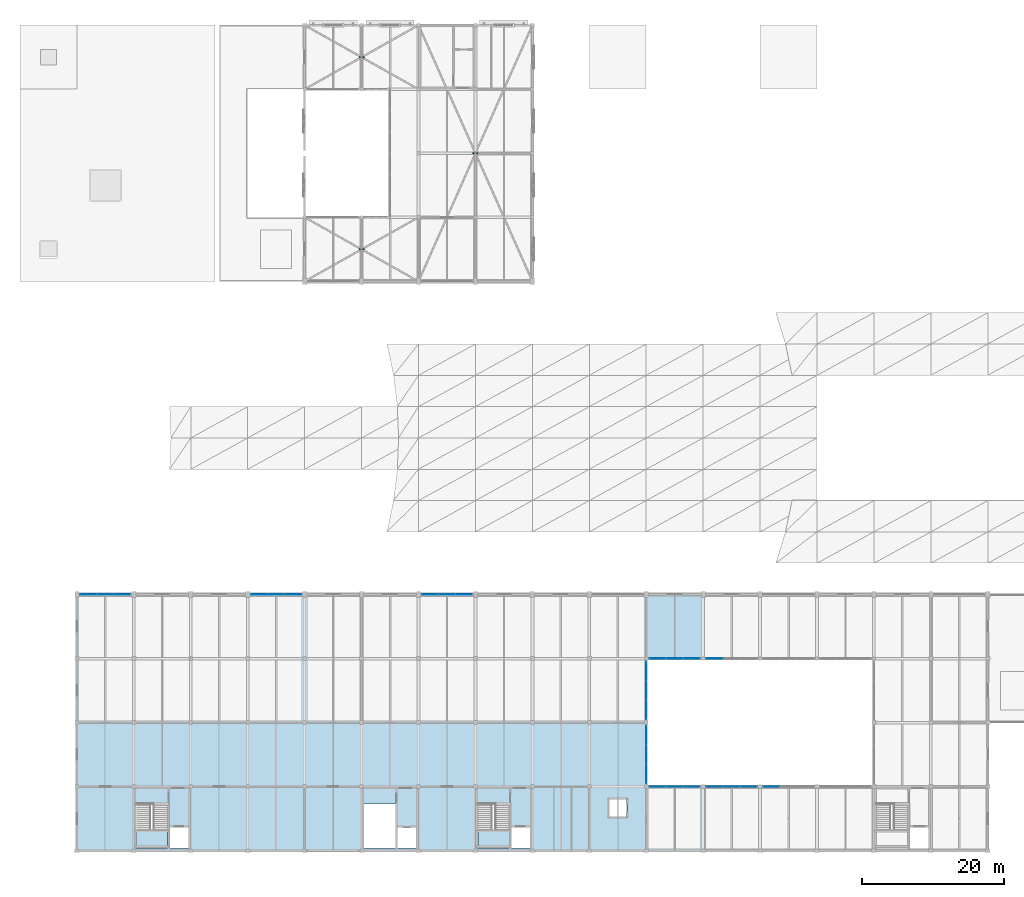
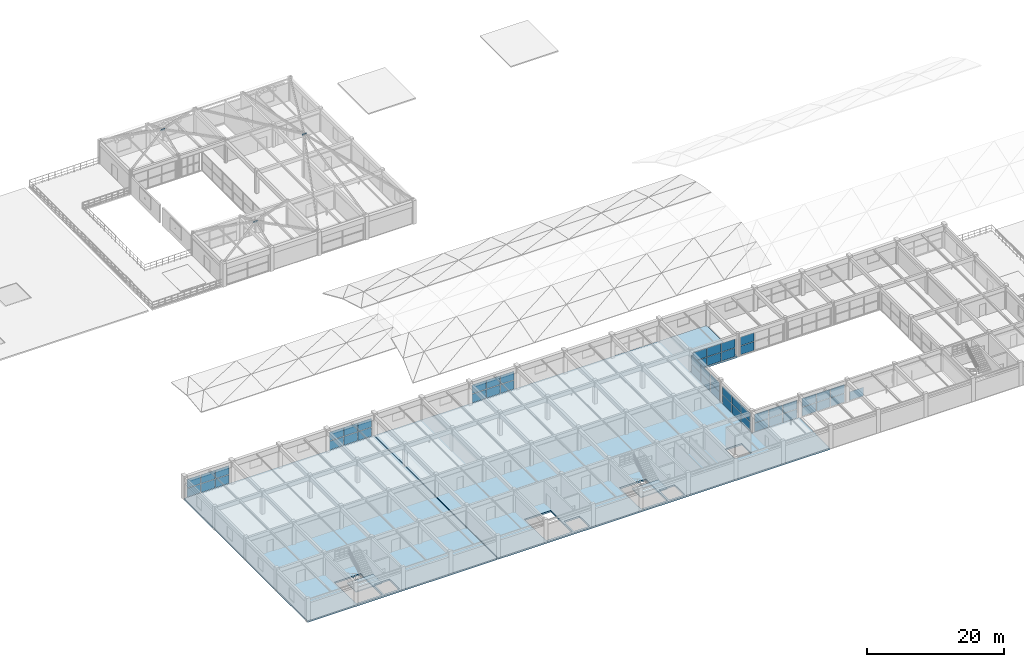
# One storey, part 37 of 63: 51 plates, 4 slabs, 3 beams, 12 elements without a shape of their own.
"""IFC4 building model written with IfcOpenShell, lengths in metres."""

from ifc_helpers import new_model, si_unit, direction, frame, origin, origin_2d, place, context, subcontext, project, spatial, polyline, rectangle, i_section, outline, extrude, material, layer, layer_set, material_profile, profile_set, type_object, element, aggregate, save


model = new_model("IFC4")

# Units and contexts
model_context = context("Model", 3, precision=1e-05, world=origin(), true_north=direction((0.0, 1.0)))
body_context = subcontext(model_context, "Body", "Model", "MODEL_VIEW")
ifc_project = project(units=[si_unit("LENGTHUNIT", "METRE"), si_unit("AREAUNIT", "SQUARE_METRE"), si_unit("VOLUMEUNIT", "CUBIC_METRE"), si_unit("PLANEANGLEUNIT", "RADIAN"), si_unit("MASSUNIT", "GRAM", prefix="KILO")], contexts=[model_context])

# Site, building, storey
site_placement = place(None, origin())
site = spatial("IfcSite", under=ifc_project, at=site_placement, CompositionType="ELEMENT")
building_placement = place(site_placement, origin())
building = spatial("IfcBuilding", under=site, at=building_placement, Name="Varnabhumi Central Station", CompositionType="ELEMENT")
storey_placement = place(building_placement, frame((0.0, 0.0, 20.39990234375)))
storey = spatial("IfcBuildingStorey", under=building, at=storey_placement, Name="L04", CompositionType="ELEMENT", Elevation=20.39990234375)

# Beams
ifc_material_1 = material(Name="Structural steel E350", Category="steel")
ifc_material_profile = material_profile(ifc_material_1, i_section(OverallWidth=0.125, OverallDepth=0.25, WebThickness=0.0068359375, FlangeThickness=0.012451171875, FilletRadius=0.012939453125, at=origin_2d()), Name="Structural steel E350", Category="steel")
ifc_profile_set = profile_set([ifc_material_profile], Name="Structural steel E350")
beam_type = type_object("IfcBeamType", Name="BM-PUR-ISMB250", PredefinedType="JOIST", material=ifc_profile_set)
for number, where, z_axis, x_axis, name in (
    (1, (87.64990234375, 98.0, 7.630126953125), (1.0, 0.0, 0.0), (0.0, 1.0, 0.0), "Pyramidal Roof Apex Ridge Cap Beam NBP5"),
    (2, (71.64990234375, 84.5, 5.830078125), (1.0, 0.0, 0.0), (0.0, 1.0, 0.0), "Pyramidal Roof Apex Ridge Cap Beam NBP5S"),
    (3, (71.64990234375, 111.5, 5.830078125), (1.0, 0.0, 0.0), (0.0, 1.0, 0.0), "Pyramidal Roof Apex Ridge Cap Beam NBP5N"),
):
    element("IfcBeam", number, at=place(storey_placement, frame(where, z_axis=z_axis, x_axis=x_axis)), inside=storey, type_object=beam_type, Name=name, PredefinedType="JOIST", context=body_context, shape_type="SweptSolid", body=[
        extrude(i_section(OverallWidth=0.125, OverallDepth=0.25, WebThickness=0.0068359375, FlangeThickness=0.012451171875, FilletRadius=0.012939453125, at=origin_2d()), origin(), (0.0, 0.0, 1.0), 0.7001953125),
    ])

# Curtain wall, plate
ifc_material_2 = material(Name="Anodised aluminium 6063-T6", Category="aluminium")
curtain_wall_type_1 = type_object("IfcCurtainWallType", Name="CW-PATIO-LOGGIA-L3", PredefinedType="NOTDEFINED", material=ifc_material_2)
curtain_wall_1_placement = place(storey_placement, origin())
curtain_wall_1 = element("IfcCurtainWall", 4, at=curtain_wall_1_placement, inside=storey, type_object=curtain_wall_type_1, Name="Curtain Wall CW-SP4S3", PredefinedType="NOTDEFINED")
ifc_material_3 = material(Name="Laminated low-E double glazing", Category="glass")
ifc_layer_1 = layer(ifc_material_3, 0.035888671875, Name="Laminated low-E double glazing", Category="glass")
ifc_layer_set_1 = layer_set([ifc_layer_1], Name="Laminated low-E double glazing")
plate_type_1 = type_object("IfcPlateType", Name="CW-PNL-GLZ-1", PredefinedType="CURTAIN_PANEL", material=ifc_layer_set_1)
plate_1_placement = place(storey_placement, frame((129.61328125, 9.0, 0.0400390625), z_axis=(0.0, 0.0, 1.0), x_axis=(1.0, 0.0, 0.0)))
plate_1 = element("IfcPlate", 5, at=plate_1_placement, type_object=plate_type_1, Name="Glazed Panel CW-SP4S3-P11", PredefinedType="CURTAIN_PANEL", context=body_context, shape_type="SweptSolid", body=[
    extrude(rectangle(XDim=2.306640625, YDim=0.035888671875, at=origin_2d()), origin(), (0.0, 0.0, 1.0), 1.5400390625),
])
aggregate(curtain_wall_1, [plate_1])

# Curtain wall, plates
curtain_wall_type_2 = type_object("IfcCurtainWallType", Name="CW-SPINE-SCREEN-L0", PredefinedType="NOTDEFINED", material=ifc_material_2)
curtain_wall_2_placement = place(storey_placement, origin())
curtain_wall_2 = element("IfcCurtainWall", 6, at=curtain_wall_2_placement, inside=storey, type_object=curtain_wall_type_2, Name="Curtain Wall CW-SS406", PredefinedType="NOTDEFINED")
ifc_layer_2 = layer(ifc_material_3, 0.035888671875, Name="Laminated low-E double glazing", Category="glass")
ifc_layer_set_2 = layer_set([ifc_layer_2], Name="Laminated low-E double glazing")
plate_type_2 = type_object("IfcPlateType", Name="CW-PNL-GLZ-2", PredefinedType="CURTAIN_PANEL", material=ifc_layer_set_2)
plate_2_placement = place(storey_placement, frame((81.63330078125, 36.0, 0.0400390625), z_axis=(0.0, 0.0, 1.0), x_axis=(1.0, 0.0, 0.0)))
plate_2 = element("IfcPlate", 7, at=plate_2_placement, type_object=plate_type_2, Name="Glazed Panel CW-SS406-P11", PredefinedType="CURTAIN_PANEL", context=body_context, shape_type="SweptSolid", body=[
    extrude(rectangle(XDim=2.28662109375, YDim=0.035888671875, at=origin_2d()), origin(), (0.0, 0.0, 1.0), 1.5400390625),
])
plate_3_placement = place(storey_placement, frame((81.63330078125, 36.0, 1.66015625), z_axis=(0.0, 0.0, 1.0), x_axis=(1.0, 0.0, 0.0)))
plate_3 = element("IfcPlate", 8, at=plate_3_placement, type_object=plate_type_2, Name="Glazed Panel CW-SS406-P12", PredefinedType="CURTAIN_PANEL", context=body_context, shape_type="SweptSolid", body=[
    extrude(rectangle(XDim=2.28662109375, YDim=0.035888671875, at=origin_2d()), origin(), (0.0, 0.0, 1.0), 1.5400390625),
])
plate_4_placement = place(storey_placement, frame((84.0, 36.0, 0.0400390625), z_axis=(0.0, 0.0, 1.0), x_axis=(1.0, 0.0, 0.0)))
plate_4 = element("IfcPlate", 9, at=plate_4_placement, type_object=plate_type_2, Name="Glazed Panel CW-SS406-P21", PredefinedType="CURTAIN_PANEL", context=body_context, shape_type="SweptSolid", body=[
    extrude(rectangle(XDim=2.28662109375, YDim=0.035888671875, at=origin_2d()), origin(), (0.0, 0.0, 1.0), 1.5400390625),
])
plate_5_placement = place(storey_placement, frame((84.0, 36.0, 1.66015625), z_axis=(0.0, 0.0, 1.0), x_axis=(1.0, 0.0, 0.0)))
plate_5 = element("IfcPlate", 10, at=plate_5_placement, type_object=plate_type_2, Name="Glazed Panel CW-SS406-P22", PredefinedType="CURTAIN_PANEL", context=body_context, shape_type="SweptSolid", body=[
    extrude(rectangle(XDim=2.28662109375, YDim=0.035888671875, at=origin_2d()), origin(), (0.0, 0.0, 1.0), 1.5400390625),
])
plate_6_placement = place(storey_placement, frame((86.36669921875, 36.0, 0.0400390625), z_axis=(0.0, 0.0, 1.0), x_axis=(1.0, 0.0, 0.0)))
plate_6 = element("IfcPlate", 11, at=plate_6_placement, type_object=plate_type_2, Name="Glazed Panel CW-SS406-P31", PredefinedType="CURTAIN_PANEL", context=body_context, shape_type="SweptSolid", body=[
    extrude(rectangle(XDim=2.28662109375, YDim=0.035888671875, at=origin_2d()), origin(), (0.0, 0.0, 1.0), 1.5400390625),
])
plate_7_placement = place(storey_placement, frame((86.36669921875, 36.0, 1.66015625), z_axis=(0.0, 0.0, 1.0), x_axis=(1.0, 0.0, 0.0)))
plate_7 = element("IfcPlate", 12, at=plate_7_placement, type_object=plate_type_2, Name="Glazed Panel CW-SS406-P32", PredefinedType="CURTAIN_PANEL", context=body_context, shape_type="SweptSolid", body=[
    extrude(rectangle(XDim=2.28662109375, YDim=0.035888671875, at=origin_2d()), origin(), (0.0, 0.0, 1.0), 1.5400390625),
])
aggregate(curtain_wall_2, [plate_2, plate_3, plate_4, plate_5, plate_6, plate_7])

curtain_wall_3_placement = place(storey_placement, origin())
curtain_wall_3 = element("IfcCurtainWall", 13, at=curtain_wall_3_placement, inside=storey, type_object=curtain_wall_type_1, Name="Curtain Wall CW-SP4E1", PredefinedType="NOTDEFINED")
ifc_layer_3 = layer(ifc_material_3, 0.035888671875, Name="Laminated low-E double glazing", Category="glass")
ifc_layer_set_3 = layer_set([ifc_layer_3], Name="Laminated low-E double glazing")
plate_type_3 = type_object("IfcPlateType", Name="CW-PNL-GLZ-3", PredefinedType="CURTAIN_PANEL", material=ifc_layer_set_3)
plate_8_placement = place(storey_placement, frame((112.0, 10.780029296875, 0.0400390625), z_axis=(0.0, 0.0, 1.0), x_axis=(0.0, 1.0, 0.0)))
plate_8 = element("IfcPlate", 14, at=plate_8_placement, type_object=plate_type_3, Name="Glazed Panel CW-SP4E1-P11", PredefinedType="CURTAIN_PANEL", context=body_context, shape_type="SweptSolid", body=[
    extrude(rectangle(XDim=2.639892578125, YDim=0.035888671875, at=origin_2d()), origin(), (0.0, 0.0, 1.0), 1.5400390625),
])
plate_9_placement = place(storey_placement, frame((112.0, 10.780029296875, 1.66015625), z_axis=(0.0, 0.0, 1.0), x_axis=(0.0, 1.0, 0.0)))
plate_9 = element("IfcPlate", 15, at=plate_9_placement, type_object=plate_type_3, Name="Glazed Panel CW-SP4E1-P12", PredefinedType="CURTAIN_PANEL", context=body_context, shape_type="SweptSolid", body=[
    extrude(rectangle(XDim=2.639892578125, YDim=0.035888671875, at=origin_2d()), origin(), (0.0, 0.0, 1.0), 1.5400390625),
])
plate_10_placement = place(storey_placement, frame((112.0, 13.5, 0.0400390625), z_axis=(0.0, 0.0, 1.0), x_axis=(0.0, 1.0, 0.0)))
plate_10 = element("IfcPlate", 16, at=plate_10_placement, type_object=plate_type_3, Name="Glazed Panel CW-SP4E1-P21", PredefinedType="CURTAIN_PANEL", context=body_context, shape_type="SweptSolid", body=[
    extrude(rectangle(XDim=2.639892578125, YDim=0.035888671875, at=origin_2d()), origin(), (0.0, 0.0, 1.0), 1.5400390625),
])
plate_11_placement = place(storey_placement, frame((112.0, 13.5, 1.66015625), z_axis=(0.0, 0.0, 1.0), x_axis=(0.0, 1.0, 0.0)))
plate_11 = element("IfcPlate", 17, at=plate_11_placement, type_object=plate_type_3, Name="Glazed Panel CW-SP4E1-P22", PredefinedType="CURTAIN_PANEL", context=body_context, shape_type="SweptSolid", body=[
    extrude(rectangle(XDim=2.639892578125, YDim=0.035888671875, at=origin_2d()), origin(), (0.0, 0.0, 1.0), 1.5400390625),
])
plate_12_placement = place(storey_placement, frame((112.0, 16.219970703125, 0.0400390625), z_axis=(0.0, 0.0, 1.0), x_axis=(0.0, 1.0, 0.0)))
plate_12 = element("IfcPlate", 18, at=plate_12_placement, type_object=plate_type_3, Name="Glazed Panel CW-SP4E1-P31", PredefinedType="CURTAIN_PANEL", context=body_context, shape_type="SweptSolid", body=[
    extrude(rectangle(XDim=2.639892578125, YDim=0.035888671875, at=origin_2d()), origin(), (0.0, 0.0, 1.0), 1.5400390625),
])
plate_13_placement = place(storey_placement, frame((112.0, 16.219970703125, 1.66015625), z_axis=(0.0, 0.0, 1.0), x_axis=(0.0, 1.0, 0.0)))
plate_13 = element("IfcPlate", 19, at=plate_13_placement, type_object=plate_type_3, Name="Glazed Panel CW-SP4E1-P32", PredefinedType="CURTAIN_PANEL", context=body_context, shape_type="SweptSolid", body=[
    extrude(rectangle(XDim=2.639892578125, YDim=0.035888671875, at=origin_2d()), origin(), (0.0, 0.0, 1.0), 1.5400390625),
])
aggregate(curtain_wall_3, [plate_8, plate_9, plate_10, plate_11, plate_12, plate_13])

curtain_wall_4_placement = place(storey_placement, origin())
curtain_wall_4 = element("IfcCurtainWall", 20, at=curtain_wall_4_placement, inside=storey, type_object=curtain_wall_type_1, Name="Curtain Wall CW-SP4E2", PredefinedType="NOTDEFINED")
plate_14_placement = place(storey_placement, frame((112.0, 19.780029296875, 0.0400390625), z_axis=(0.0, 0.0, 1.0), x_axis=(0.0, 1.0, 0.0)))
plate_14 = element("IfcPlate", 21, at=plate_14_placement, type_object=plate_type_3, Name="Glazed Panel CW-SP4E2-P11", PredefinedType="CURTAIN_PANEL", context=body_context, shape_type="SweptSolid", body=[
    extrude(rectangle(XDim=2.639892578125, YDim=0.035888671875, at=origin_2d()), origin(), (0.0, 0.0, 1.0), 1.5400390625),
])
plate_15_placement = place(storey_placement, frame((112.0, 19.780029296875, 1.66015625), z_axis=(0.0, 0.0, 1.0), x_axis=(0.0, 1.0, 0.0)))
plate_15 = element("IfcPlate", 22, at=plate_15_placement, type_object=plate_type_3, Name="Glazed Panel CW-SP4E2-P12", PredefinedType="CURTAIN_PANEL", context=body_context, shape_type="SweptSolid", body=[
    extrude(rectangle(XDim=2.639892578125, YDim=0.035888671875, at=origin_2d()), origin(), (0.0, 0.0, 1.0), 1.5400390625),
])
plate_16_placement = place(storey_placement, frame((112.0, 22.5, 0.0400390625), z_axis=(0.0, 0.0, 1.0), x_axis=(0.0, 1.0, 0.0)))
plate_16 = element("IfcPlate", 23, at=plate_16_placement, type_object=plate_type_3, Name="Glazed Panel CW-SP4E2-P21", PredefinedType="CURTAIN_PANEL", context=body_context, shape_type="SweptSolid", body=[
    extrude(rectangle(XDim=2.639892578125, YDim=0.035888671875, at=origin_2d()), origin(), (0.0, 0.0, 1.0), 1.5400390625),
])
plate_17_placement = place(storey_placement, frame((112.0, 22.5, 1.66015625), z_axis=(0.0, 0.0, 1.0), x_axis=(0.0, 1.0, 0.0)))
plate_17 = element("IfcPlate", 24, at=plate_17_placement, type_object=plate_type_3, Name="Glazed Panel CW-SP4E2-P22", PredefinedType="CURTAIN_PANEL", context=body_context, shape_type="SweptSolid", body=[
    extrude(rectangle(XDim=2.639892578125, YDim=0.035888671875, at=origin_2d()), origin(), (0.0, 0.0, 1.0), 1.5400390625),
])
plate_18_placement = place(storey_placement, frame((112.0, 25.219970703125, 0.0400390625), z_axis=(0.0, 0.0, 1.0), x_axis=(0.0, 1.0, 0.0)))
plate_18 = element("IfcPlate", 25, at=plate_18_placement, type_object=plate_type_3, Name="Glazed Panel CW-SP4E2-P31", PredefinedType="CURTAIN_PANEL", context=body_context, shape_type="SweptSolid", body=[
    extrude(rectangle(XDim=2.639892578125, YDim=0.035888671875, at=origin_2d()), origin(), (0.0, 0.0, 1.0), 1.5400390625),
])
plate_19_placement = place(storey_placement, frame((112.0, 25.219970703125, 1.66015625), z_axis=(0.0, 0.0, 1.0), x_axis=(0.0, 1.0, 0.0)))
plate_19 = element("IfcPlate", 26, at=plate_19_placement, type_object=plate_type_3, Name="Glazed Panel CW-SP4E2-P32", PredefinedType="CURTAIN_PANEL", context=body_context, shape_type="SweptSolid", body=[
    extrude(rectangle(XDim=2.639892578125, YDim=0.035888671875, at=origin_2d()), origin(), (0.0, 0.0, 1.0), 1.5400390625),
])
aggregate(curtain_wall_4, [plate_14, plate_15, plate_16, plate_17, plate_18, plate_19])

curtain_wall_5_placement = place(storey_placement, origin())
curtain_wall_5 = element("IfcCurtainWall", 27, at=curtain_wall_5_placement, inside=storey, type_object=curtain_wall_type_2, Name="Curtain Wall CW-SS400", PredefinedType="NOTDEFINED")
ifc_layer_4 = layer(ifc_material_3, 0.035888671875, Name="Laminated low-E double glazing", Category="glass")
ifc_layer_set_4 = layer_set([ifc_layer_4], Name="Laminated low-E double glazing")
plate_type_4 = type_object("IfcPlateType", Name="CW-PNL-GLZ-5", PredefinedType="CURTAIN_PANEL", material=ifc_layer_set_4)
plate_20_placement = place(storey_placement, frame((33.63330078125, 36.0, 0.0400390625), z_axis=(0.0, 0.0, 1.0), x_axis=(1.0, 0.0, 0.0)))
plate_20 = element("IfcPlate", 28, at=plate_20_placement, type_object=plate_type_4, Name="Glazed Panel CW-SS400-P11", PredefinedType="CURTAIN_PANEL", context=body_context, shape_type="SweptSolid", body=[
    extrude(rectangle(XDim=2.28662109375, YDim=0.035888671875, at=origin_2d()), origin(), (0.0, 0.0, 1.0), 1.5400390625),
])
plate_21_placement = place(storey_placement, frame((33.63330078125, 36.0, 1.66015625), z_axis=(0.0, 0.0, 1.0), x_axis=(1.0, 0.0, 0.0)))
plate_21 = element("IfcPlate", 29, at=plate_21_placement, type_object=plate_type_4, Name="Glazed Panel CW-SS400-P12", PredefinedType="CURTAIN_PANEL", context=body_context, shape_type="SweptSolid", body=[
    extrude(rectangle(XDim=2.28662109375, YDim=0.035888671875, at=origin_2d()), origin(), (0.0, 0.0, 1.0), 1.5400390625),
])
plate_22_placement = place(storey_placement, frame((36.0, 36.0, 0.0400390625), z_axis=(0.0, 0.0, 1.0), x_axis=(1.0, 0.0, 0.0)))
plate_22 = element("IfcPlate", 30, at=plate_22_placement, type_object=plate_type_4, Name="Glazed Panel CW-SS400-P21", PredefinedType="CURTAIN_PANEL", context=body_context, shape_type="SweptSolid", body=[
    extrude(rectangle(XDim=2.28662109375, YDim=0.035888671875, at=origin_2d()), origin(), (0.0, 0.0, 1.0), 1.5400390625),
])
plate_23_placement = place(storey_placement, frame((36.0, 36.0, 1.66015625), z_axis=(0.0, 0.0, 1.0), x_axis=(1.0, 0.0, 0.0)))
plate_23 = element("IfcPlate", 31, at=plate_23_placement, type_object=plate_type_4, Name="Glazed Panel CW-SS400-P22", PredefinedType="CURTAIN_PANEL", context=body_context, shape_type="SweptSolid", body=[
    extrude(rectangle(XDim=2.28662109375, YDim=0.035888671875, at=origin_2d()), origin(), (0.0, 0.0, 1.0), 1.5400390625),
])
plate_24_placement = place(storey_placement, frame((38.36669921875, 36.0, 0.0400390625), z_axis=(0.0, 0.0, 1.0), x_axis=(1.0, 0.0, 0.0)))
plate_24 = element("IfcPlate", 32, at=plate_24_placement, type_object=plate_type_4, Name="Glazed Panel CW-SS400-P31", PredefinedType="CURTAIN_PANEL", context=body_context, shape_type="SweptSolid", body=[
    extrude(rectangle(XDim=2.28662109375, YDim=0.035888671875, at=origin_2d()), origin(), (0.0, 0.0, 1.0), 1.5400390625),
])
plate_25_placement = place(storey_placement, frame((38.36669921875, 36.0, 1.66015625), z_axis=(0.0, 0.0, 1.0), x_axis=(1.0, 0.0, 0.0)))
plate_25 = element("IfcPlate", 33, at=plate_25_placement, type_object=plate_type_4, Name="Glazed Panel CW-SS400-P32", PredefinedType="CURTAIN_PANEL", context=body_context, shape_type="SweptSolid", body=[
    extrude(rectangle(XDim=2.28662109375, YDim=0.035888671875, at=origin_2d()), origin(), (0.0, 0.0, 1.0), 1.5400390625),
])
aggregate(curtain_wall_5, [plate_20, plate_21, plate_22, plate_23, plate_24, plate_25])

curtain_wall_6_placement = place(storey_placement, origin())
curtain_wall_6 = element("IfcCurtainWall", 34, at=curtain_wall_6_placement, inside=storey, type_object=curtain_wall_type_2, Name="Curtain Wall CW-SS403", PredefinedType="NOTDEFINED")
ifc_layer_5 = layer(ifc_material_3, 0.035888671875, Name="Laminated low-E double glazing", Category="glass")
ifc_layer_set_5 = layer_set([ifc_layer_5], Name="Laminated low-E double glazing")
plate_type_5 = type_object("IfcPlateType", Name="CW-PNL-GLZ-8", PredefinedType="CURTAIN_PANEL", material=ifc_layer_set_5)
plate_26_placement = place(storey_placement, frame((57.63330078125, 36.0, 0.0400390625), z_axis=(0.0, 0.0, 1.0), x_axis=(1.0, 0.0, 0.0)))
plate_26 = element("IfcPlate", 35, at=plate_26_placement, type_object=plate_type_5, Name="Glazed Panel CW-SS403-P11", PredefinedType="CURTAIN_PANEL", context=body_context, shape_type="SweptSolid", body=[
    extrude(rectangle(XDim=2.28662109375, YDim=0.035888671875, at=origin_2d()), origin(), (0.0, 0.0, 1.0), 1.5400390625),
])
plate_27_placement = place(storey_placement, frame((57.63330078125, 36.0, 1.66015625), z_axis=(0.0, 0.0, 1.0), x_axis=(1.0, 0.0, 0.0)))
plate_27 = element("IfcPlate", 36, at=plate_27_placement, type_object=plate_type_5, Name="Glazed Panel CW-SS403-P12", PredefinedType="CURTAIN_PANEL", context=body_context, shape_type="SweptSolid", body=[
    extrude(rectangle(XDim=2.28662109375, YDim=0.035888671875, at=origin_2d()), origin(), (0.0, 0.0, 1.0), 1.5400390625),
])
plate_28_placement = place(storey_placement, frame((60.0, 36.0, 0.0400390625), z_axis=(0.0, 0.0, 1.0), x_axis=(1.0, 0.0, 0.0)))
plate_28 = element("IfcPlate", 37, at=plate_28_placement, type_object=plate_type_5, Name="Glazed Panel CW-SS403-P21", PredefinedType="CURTAIN_PANEL", context=body_context, shape_type="SweptSolid", body=[
    extrude(rectangle(XDim=2.28662109375, YDim=0.035888671875, at=origin_2d()), origin(), (0.0, 0.0, 1.0), 1.5400390625),
])
plate_29_placement = place(storey_placement, frame((60.0, 36.0, 1.66015625), z_axis=(0.0, 0.0, 1.0), x_axis=(1.0, 0.0, 0.0)))
plate_29 = element("IfcPlate", 38, at=plate_29_placement, type_object=plate_type_5, Name="Glazed Panel CW-SS403-P22", PredefinedType="CURTAIN_PANEL", context=body_context, shape_type="SweptSolid", body=[
    extrude(rectangle(XDim=2.28662109375, YDim=0.035888671875, at=origin_2d()), origin(), (0.0, 0.0, 1.0), 1.5400390625),
])
plate_30_placement = place(storey_placement, frame((62.36669921875, 36.0, 0.0400390625), z_axis=(0.0, 0.0, 1.0), x_axis=(1.0, 0.0, 0.0)))
plate_30 = element("IfcPlate", 39, at=plate_30_placement, type_object=plate_type_5, Name="Glazed Panel CW-SS403-P31", PredefinedType="CURTAIN_PANEL", context=body_context, shape_type="SweptSolid", body=[
    extrude(rectangle(XDim=2.28662109375, YDim=0.035888671875, at=origin_2d()), origin(), (0.0, 0.0, 1.0), 1.5400390625),
])
plate_31_placement = place(storey_placement, frame((62.36669921875, 36.0, 1.66015625), z_axis=(0.0, 0.0, 1.0), x_axis=(1.0, 0.0, 0.0)))
plate_31 = element("IfcPlate", 40, at=plate_31_placement, type_object=plate_type_5, Name="Glazed Panel CW-SS403-P32", PredefinedType="CURTAIN_PANEL", context=body_context, shape_type="SweptSolid", body=[
    extrude(rectangle(XDim=2.28662109375, YDim=0.035888671875, at=origin_2d()), origin(), (0.0, 0.0, 1.0), 1.5400390625),
])
aggregate(curtain_wall_6, [plate_26, plate_27, plate_28, plate_29, plate_30, plate_31])

curtain_wall_7_placement = place(storey_placement, origin())
curtain_wall_7 = element("IfcCurtainWall", 41, at=curtain_wall_7_placement, inside=storey, type_object=curtain_wall_type_1, Name="Curtain Wall CW-SP4S1", PredefinedType="NOTDEFINED")
plate_32_placement = place(storey_placement, frame((113.61328125, 9.0, 0.0400390625), z_axis=(0.0, 0.0, 1.0), x_axis=(1.0, 0.0, 0.0)))
plate_32 = element("IfcPlate", 42, at=plate_32_placement, type_object=plate_type_5, Name="Glazed Panel CW-SP4S1-P11", PredefinedType="CURTAIN_PANEL", context=body_context, shape_type="SweptSolid", body=[
    extrude(rectangle(XDim=2.306640625, YDim=0.035888671875, at=origin_2d()), origin(), (0.0, 0.0, 1.0), 1.5400390625),
])
plate_33_placement = place(storey_placement, frame((113.61328125, 9.0, 1.66015625), z_axis=(0.0, 0.0, 1.0), x_axis=(1.0, 0.0, 0.0)))
plate_33 = element("IfcPlate", 43, at=plate_33_placement, type_object=plate_type_5, Name="Glazed Panel CW-SP4S1-P12", PredefinedType="CURTAIN_PANEL", context=body_context, shape_type="SweptSolid", body=[
    extrude(rectangle(XDim=2.306640625, YDim=0.035888671875, at=origin_2d()), origin(), (0.0, 0.0, 1.0), 1.5400390625),
])
plate_34_placement = place(storey_placement, frame((116.0, 9.0, 0.0400390625), z_axis=(0.0, 0.0, 1.0), x_axis=(1.0, 0.0, 0.0)))
plate_34 = element("IfcPlate", 44, at=plate_34_placement, type_object=plate_type_5, Name="Glazed Panel CW-SP4S1-P21", PredefinedType="CURTAIN_PANEL", context=body_context, shape_type="SweptSolid", body=[
    extrude(rectangle(XDim=2.306640625, YDim=0.035888671875, at=origin_2d()), origin(), (0.0, 0.0, 1.0), 1.5400390625),
])
plate_35_placement = place(storey_placement, frame((116.0, 9.0, 1.66015625), z_axis=(0.0, 0.0, 1.0), x_axis=(1.0, 0.0, 0.0)))
plate_35 = element("IfcPlate", 45, at=plate_35_placement, type_object=plate_type_5, Name="Glazed Panel CW-SP4S1-P22", PredefinedType="CURTAIN_PANEL", context=body_context, shape_type="SweptSolid", body=[
    extrude(rectangle(XDim=2.306640625, YDim=0.035888671875, at=origin_2d()), origin(), (0.0, 0.0, 1.0), 1.5400390625),
])
plate_36_placement = place(storey_placement, frame((118.38671875, 9.0, 0.0400390625), z_axis=(0.0, 0.0, 1.0), x_axis=(1.0, 0.0, 0.0)))
plate_36 = element("IfcPlate", 46, at=plate_36_placement, type_object=plate_type_5, Name="Glazed Panel CW-SP4S1-P31", PredefinedType="CURTAIN_PANEL", context=body_context, shape_type="SweptSolid", body=[
    extrude(rectangle(XDim=2.306640625, YDim=0.035888671875, at=origin_2d()), origin(), (0.0, 0.0, 1.0), 1.5400390625),
])
plate_37_placement = place(storey_placement, frame((118.38671875, 9.0, 1.66015625), z_axis=(0.0, 0.0, 1.0), x_axis=(1.0, 0.0, 0.0)))
plate_37 = element("IfcPlate", 47, at=plate_37_placement, type_object=plate_type_5, Name="Glazed Panel CW-SP4S1-P32", PredefinedType="CURTAIN_PANEL", context=body_context, shape_type="SweptSolid", body=[
    extrude(rectangle(XDim=2.306640625, YDim=0.035888671875, at=origin_2d()), origin(), (0.0, 0.0, 1.0), 1.5400390625),
])
aggregate(curtain_wall_7, [plate_32, plate_33, plate_34, plate_35, plate_36, plate_37])

curtain_wall_8_placement = place(storey_placement, origin())
curtain_wall_8 = element("IfcCurtainWall", 48, at=curtain_wall_8_placement, inside=storey, type_object=curtain_wall_type_1, Name="Curtain Wall CW-SP4N1", PredefinedType="NOTDEFINED")
plate_38_placement = place(storey_placement, frame((113.61328125, 27.0, 0.0400390625), z_axis=(0.0, 0.0, 1.0), x_axis=(1.0, 0.0, 0.0)))
plate_38 = element("IfcPlate", 49, at=plate_38_placement, type_object=plate_type_5, Name="Glazed Panel CW-SP4N1-P11", PredefinedType="CURTAIN_PANEL", context=body_context, shape_type="SweptSolid", body=[
    extrude(rectangle(XDim=2.306640625, YDim=0.035888671875, at=origin_2d()), origin(), (0.0, 0.0, 1.0), 1.5400390625),
])
plate_39_placement = place(storey_placement, frame((113.61328125, 27.0, 1.66015625), z_axis=(0.0, 0.0, 1.0), x_axis=(1.0, 0.0, 0.0)))
plate_39 = element("IfcPlate", 50, at=plate_39_placement, type_object=plate_type_5, Name="Glazed Panel CW-SP4N1-P12", PredefinedType="CURTAIN_PANEL", context=body_context, shape_type="SweptSolid", body=[
    extrude(rectangle(XDim=2.306640625, YDim=0.035888671875, at=origin_2d()), origin(), (0.0, 0.0, 1.0), 1.5400390625),
])
plate_40_placement = place(storey_placement, frame((116.0, 27.0, 0.0400390625), z_axis=(0.0, 0.0, 1.0), x_axis=(1.0, 0.0, 0.0)))
plate_40 = element("IfcPlate", 51, at=plate_40_placement, type_object=plate_type_5, Name="Glazed Panel CW-SP4N1-P21", PredefinedType="CURTAIN_PANEL", context=body_context, shape_type="SweptSolid", body=[
    extrude(rectangle(XDim=2.306640625, YDim=0.035888671875, at=origin_2d()), origin(), (0.0, 0.0, 1.0), 1.5400390625),
])
plate_41_placement = place(storey_placement, frame((116.0, 27.0, 1.66015625), z_axis=(0.0, 0.0, 1.0), x_axis=(1.0, 0.0, 0.0)))
plate_41 = element("IfcPlate", 52, at=plate_41_placement, type_object=plate_type_5, Name="Glazed Panel CW-SP4N1-P22", PredefinedType="CURTAIN_PANEL", context=body_context, shape_type="SweptSolid", body=[
    extrude(rectangle(XDim=2.306640625, YDim=0.035888671875, at=origin_2d()), origin(), (0.0, 0.0, 1.0), 1.5400390625),
])
plate_42_placement = place(storey_placement, frame((118.38671875, 27.0, 0.0400390625), z_axis=(0.0, 0.0, 1.0), x_axis=(1.0, 0.0, 0.0)))
plate_42 = element("IfcPlate", 53, at=plate_42_placement, type_object=plate_type_5, Name="Glazed Panel CW-SP4N1-P31", PredefinedType="CURTAIN_PANEL", context=body_context, shape_type="SweptSolid", body=[
    extrude(rectangle(XDim=2.306640625, YDim=0.035888671875, at=origin_2d()), origin(), (0.0, 0.0, 1.0), 1.5400390625),
])
plate_43_placement = place(storey_placement, frame((118.38671875, 27.0, 1.66015625), z_axis=(0.0, 0.0, 1.0), x_axis=(1.0, 0.0, 0.0)))
plate_43 = element("IfcPlate", 54, at=plate_43_placement, type_object=plate_type_5, Name="Glazed Panel CW-SP4N1-P32", PredefinedType="CURTAIN_PANEL", context=body_context, shape_type="SweptSolid", body=[
    extrude(rectangle(XDim=2.306640625, YDim=0.035888671875, at=origin_2d()), origin(), (0.0, 0.0, 1.0), 1.5400390625),
])
aggregate(curtain_wall_8, [plate_38, plate_39, plate_40, plate_41, plate_42, plate_43])

curtain_wall_9_placement = place(storey_placement, origin())
curtain_wall_9 = element("IfcCurtainWall", 55, at=curtain_wall_9_placement, inside=storey, type_object=curtain_wall_type_1, Name="Curtain Wall CW-SP4S2", PredefinedType="NOTDEFINED")
ifc_layer_6 = layer(ifc_material_3, 0.035888671875, Name="Laminated low-E double glazing", Category="glass")
ifc_layer_set_6 = layer_set([ifc_layer_6], Name="Laminated low-E double glazing")
plate_type_6 = type_object("IfcPlateType", Name="CW-PNL-GLZ-9", PredefinedType="CURTAIN_PANEL", material=ifc_layer_set_6)
plate_44_placement = place(storey_placement, frame((121.61328125, 9.0, 0.0400390625), z_axis=(0.0, 0.0, 1.0), x_axis=(1.0, 0.0, 0.0)))
plate_44 = element("IfcPlate", 56, at=plate_44_placement, type_object=plate_type_6, Name="Glazed Panel CW-SP4S2-P11", PredefinedType="CURTAIN_PANEL", context=body_context, shape_type="SweptSolid", body=[
    extrude(rectangle(XDim=2.306640625, YDim=0.035888671875, at=origin_2d()), origin(), (0.0, 0.0, 1.0), 1.5400390625),
])
plate_45_placement = place(storey_placement, frame((121.61328125, 9.0, 1.66015625), z_axis=(0.0, 0.0, 1.0), x_axis=(1.0, 0.0, 0.0)))
plate_45 = element("IfcPlate", 57, at=plate_45_placement, type_object=plate_type_6, Name="Glazed Panel CW-SP4S2-P12", PredefinedType="CURTAIN_PANEL", context=body_context, shape_type="SweptSolid", body=[
    extrude(rectangle(XDim=2.306640625, YDim=0.035888671875, at=origin_2d()), origin(), (0.0, 0.0, 1.0), 1.5400390625),
])
plate_46_placement = place(storey_placement, frame((124.0, 9.0, 0.0400390625), z_axis=(0.0, 0.0, 1.0), x_axis=(1.0, 0.0, 0.0)))
plate_46 = element("IfcPlate", 58, at=plate_46_placement, type_object=plate_type_6, Name="Glazed Panel CW-SP4S2-P21", PredefinedType="CURTAIN_PANEL", context=body_context, shape_type="SweptSolid", body=[
    extrude(rectangle(XDim=2.306640625, YDim=0.035888671875, at=origin_2d()), origin(), (0.0, 0.0, 1.0), 1.5400390625),
])
plate_47_placement = place(storey_placement, frame((124.0, 9.0, 1.66015625), z_axis=(0.0, 0.0, 1.0), x_axis=(1.0, 0.0, 0.0)))
plate_47 = element("IfcPlate", 59, at=plate_47_placement, type_object=plate_type_6, Name="Glazed Panel CW-SP4S2-P22", PredefinedType="CURTAIN_PANEL", context=body_context, shape_type="SweptSolid", body=[
    extrude(rectangle(XDim=2.306640625, YDim=0.035888671875, at=origin_2d()), origin(), (0.0, 0.0, 1.0), 1.5400390625),
])
plate_48_placement = place(storey_placement, frame((126.38671875, 9.0, 0.0400390625), z_axis=(0.0, 0.0, 1.0), x_axis=(1.0, 0.0, 0.0)))
plate_48 = element("IfcPlate", 60, at=plate_48_placement, type_object=plate_type_6, Name="Glazed Panel CW-SP4S2-P31", PredefinedType="CURTAIN_PANEL", context=body_context, shape_type="SweptSolid", body=[
    extrude(rectangle(XDim=2.306640625, YDim=0.035888671875, at=origin_2d()), origin(), (0.0, 0.0, 1.0), 1.5400390625),
])
plate_49_placement = place(storey_placement, frame((126.38671875, 9.0, 1.66015625), z_axis=(0.0, 0.0, 1.0), x_axis=(1.0, 0.0, 0.0)))
plate_49 = element("IfcPlate", 61, at=plate_49_placement, type_object=plate_type_6, Name="Glazed Panel CW-SP4S2-P32", PredefinedType="CURTAIN_PANEL", context=body_context, shape_type="SweptSolid", body=[
    extrude(rectangle(XDim=2.306640625, YDim=0.035888671875, at=origin_2d()), origin(), (0.0, 0.0, 1.0), 1.5400390625),
])
aggregate(curtain_wall_9, [plate_44, plate_45, plate_46, plate_47, plate_48, plate_49])

curtain_wall_10_placement = place(storey_placement, origin())
curtain_wall_10 = element("IfcCurtainWall", 62, at=curtain_wall_10_placement, inside=storey, type_object=curtain_wall_type_1, Name="Curtain Wall CW-SP4N2", PredefinedType="NOTDEFINED")
plate_50_placement = place(storey_placement, frame((121.61328125, 27.0, 0.0400390625), z_axis=(0.0, 0.0, 1.0), x_axis=(1.0, 0.0, 0.0)))
plate_50 = element("IfcPlate", 63, at=plate_50_placement, type_object=plate_type_6, Name="Glazed Panel CW-SP4N2-P11", PredefinedType="CURTAIN_PANEL", context=body_context, shape_type="SweptSolid", body=[
    extrude(rectangle(XDim=2.306640625, YDim=0.035888671875, at=origin_2d()), origin(), (0.0, 0.0, 1.0), 1.5400390625),
])
plate_51_placement = place(storey_placement, frame((121.61328125, 27.0, 1.66015625), z_axis=(0.0, 0.0, 1.0), x_axis=(1.0, 0.0, 0.0)))
plate_51 = element("IfcPlate", 64, at=plate_51_placement, type_object=plate_type_6, Name="Glazed Panel CW-SP4N2-P12", PredefinedType="CURTAIN_PANEL", context=body_context, shape_type="SweptSolid", body=[
    extrude(rectangle(XDim=2.306640625, YDim=0.035888671875, at=origin_2d()), origin(), (0.0, 0.0, 1.0), 1.5400390625),
])
aggregate(curtain_wall_10, [plate_50, plate_51])

# Slabs
ifc_material_4 = material(Name="Concrete M40", Category="concrete")
ifc_layer_7 = layer(ifc_material_4, 0.280029296875, Name="Concrete M40", Category="concrete")
ifc_layer_set_7 = layer_set([ifc_layer_7], Name="Concrete M40")
slab_type_1 = type_object("IfcSlabType", Name="SLB-OPS-HEAVY-280", PredefinedType="FLOOR", material=ifc_layer_set_7)
slab_1_placement = place(storey_placement, frame((0.0, 0.0, -0.27978515625)))
element("IfcSlab", 65, at=slab_1_placement, inside=storey, type_object=slab_type_1, Name="South Wing L04 Floor Slab Zone 1", PredefinedType="FLOOR", context=body_context, shape_type="SweptSolid", body=[
    extrude(outline(polyline([(32.0, 0.0), (63.93994140625, 0.0), (63.93994140625, 36.0), (32.0, 36.0), (32.0, 0.0)]), holes=[polyline([(40.330078125, 0.35009765625), (44.760009765625, 0.35009765625), (44.760009765625, 6.580078125), (40.330078125, 6.580078125), (40.330078125, 0.35009765625)]), polyline([(45.0400390625, 0.35009765625), (47.669921875, 0.35009765625), (47.669921875, 3.25), (45.0400390625, 3.25), (45.0400390625, 0.35009765625)])]), origin(), (0.0, 0.0, 1.0), 0.27978515625),
])
slab_2_placement = place(storey_placement, frame((0.0, 0.0, -0.27978515625)))
element("IfcSlab", 66, at=slab_2_placement, inside=storey, type_object=slab_type_1, Name="South Wing L04 Floor Slab Zone 2", PredefinedType="FLOOR", context=body_context, shape_type="SweptSolid", body=[
    extrude(outline(polyline([(64.06005859375, 0.0), (119.93994140625, 0.0), (119.93994140625, 9.0), (112.0, 9.0), (112.0, 27.0), (119.93994140625, 27.0), (119.93994140625, 36.0), (64.06005859375, 36.0), (64.06005859375, 0.0)]), holes=[polyline([(88.330078125, 0.35009765625), (92.760009765625, 0.35009765625), (92.760009765625, 6.580078125), (88.330078125, 6.580078125), (88.330078125, 0.35009765625)]), polyline([(93.0400390625, 0.35009765625), (95.669921875, 0.35009765625), (95.669921875, 3.25), (93.0400390625, 3.25), (93.0400390625, 0.35009765625)]), polyline([(72.330078125, 0.35009765625), (76.760009765625, 0.35009765625), (76.760009765625, 6.580078125), (72.330078125, 6.580078125), (72.330078125, 0.35009765625)]), polyline([(77.0400390625, 0.35009765625), (79.669921875, 0.35009765625), (79.669921875, 3.25), (77.0400390625, 3.25), (77.0400390625, 0.35009765625)]), polyline([(106.60009765625, 4.60009765625), (109.39990234375, 4.60009765625), (109.39990234375, 7.39990234375), (106.60009765625, 7.39990234375), (106.60009765625, 4.60009765625)])]), origin(), (0.0, 0.0, 1.0), 0.27978515625),
])

# Stair, slab
stair_type = type_object("IfcStairType", Name="STR-CORE-4200", PredefinedType="DOUBLE_RETURN_STAIR", material=ifc_material_4)
stair_1_placement = place(storey_placement, origin())
stair_1 = element("IfcStair", 67, at=stair_1_placement, inside=storey, type_object=stair_type, Name="Core Stair ST-S1 (L04)", PredefinedType="DOUBLE_RETURN_STAIR")
ifc_layer_8 = layer(ifc_material_4, 0.179931640625, Name="Concrete M40", Category="concrete")
ifc_layer_set_8 = layer_set([ifc_layer_8], Name="Concrete M40")
slab_type_2 = type_object("IfcSlabType", Name="SLB-STAIR-LAND", PredefinedType="LANDING", material=ifc_layer_set_8)
slab_3_placement = place(storey_placement, frame((0.0, 0.0, 1.920166015625)))
slab_3 = element("IfcSlab", 68, at=slab_3_placement, type_object=slab_type_2, Name="ST-S1 L04 Half Landing", PredefinedType="LANDING", context=body_context, shape_type="SweptSolid", body=[
    extrude(outline(polyline([(40.340087890625, 0.360107421875), (44.760009765625, 0.360107421875), (44.760009765625, 2.955078125), (40.340087890625, 2.955078125), (40.340087890625, 0.360107421875)])), origin(), (0.0, 0.0, 1.0), 0.179931640625),
])
aggregate(stair_1, [slab_3])

stair_2_placement = place(storey_placement, origin())
stair_2 = element("IfcStair", 69, at=stair_2_placement, inside=storey, type_object=stair_type, Name="Core Stair ST-S2 (L04)", PredefinedType="DOUBLE_RETURN_STAIR")
slab_4_placement = place(storey_placement, frame((0.0, 0.0, 1.920166015625)))
slab_4 = element("IfcSlab", 70, at=slab_4_placement, type_object=slab_type_2, Name="ST-S2 L04 Half Landing", PredefinedType="LANDING", context=body_context, shape_type="SweptSolid", body=[
    extrude(outline(polyline([(88.340087890625, 0.360107421875), (92.760009765625, 0.360107421875), (92.760009765625, 2.955078125), (88.340087890625, 2.955078125), (88.340087890625, 0.360107421875)])), origin(), (0.0, 0.0, 1.0), 0.179931640625),
])
aggregate(stair_2, [slab_4])

save(model, "model.ifc")
